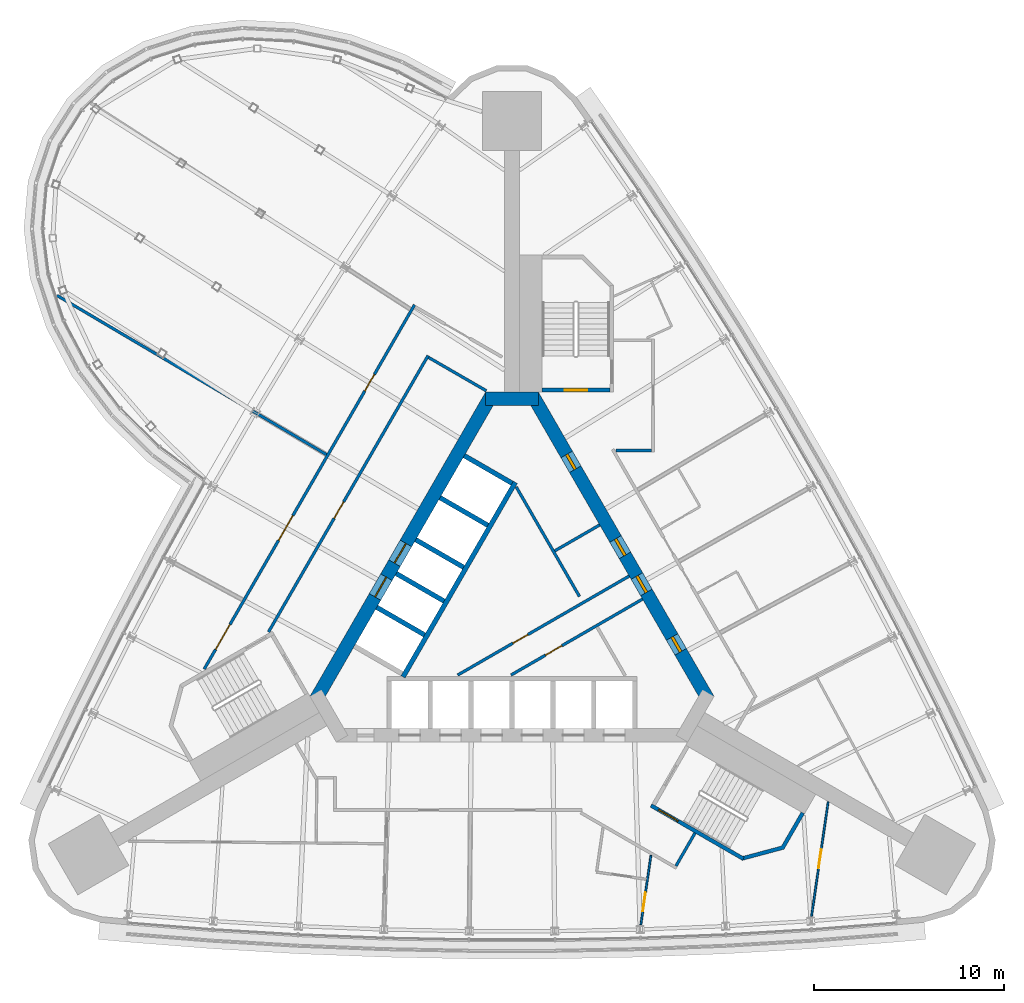
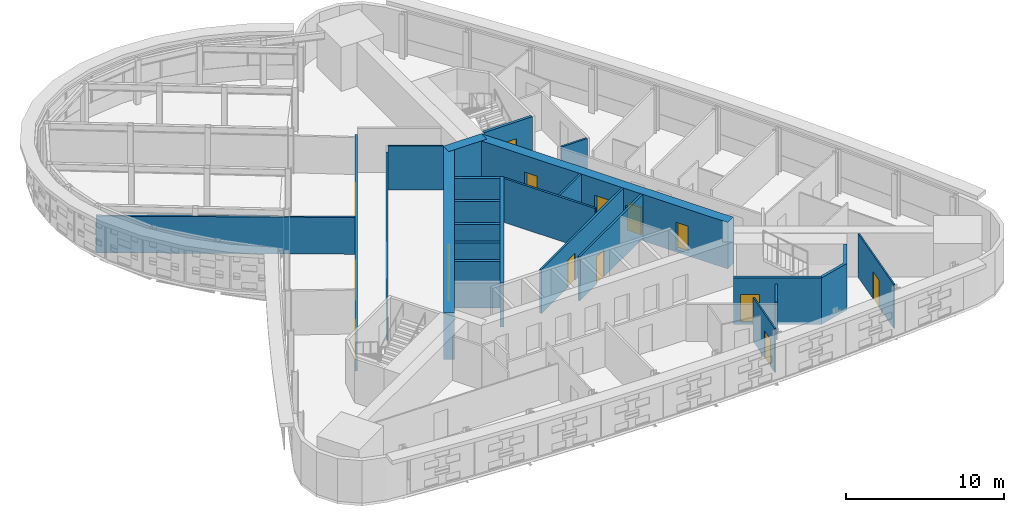
# One storey, part 12 of 17: 24 walls, 16 doors, 16 openings.
"""IFC4 building model written with IfcOpenShell, lengths in metres."""

from ifc_helpers import new_model, si_unit, direction, frame, frame_2d, origin, place, context, subcontext, project, spatial, polyline, rectangle, outline, extrude, material, layer, layer_set, type_object, element, fill, save


model = new_model("IFC4")

# Units and contexts
model_context = context("Model", 3, precision=1e-05, world=origin(), true_north=direction((0.0, 1.0)))
body_context = subcontext(model_context, "Body", "Model", "MODEL_VIEW")
ifc_project = project(units=[si_unit("LENGTHUNIT", "METRE"), si_unit("AREAUNIT", "SQUARE_METRE"), si_unit("VOLUMEUNIT", "CUBIC_METRE"), si_unit("PLANEANGLEUNIT", "RADIAN"), si_unit("MASSUNIT", "GRAM", prefix="KILO")], contexts=[model_context])

# Site, building, storey
site_placement = place(None, origin())
site = spatial("IfcSite", under=ifc_project, at=site_placement, CompositionType="ELEMENT")
building_placement = place(site_placement, origin())
building = spatial("IfcBuilding", under=site, at=building_placement, Name="Noor Cloister Tower", CompositionType="ELEMENT")
storey_placement = place(building_placement, frame((0.0, 0.0, 102.300048828125)))
storey = spatial("IfcBuildingStorey", under=building, at=storey_placement, Name="L26", CompositionType="ELEMENT", Elevation=102.300048828125)

# Wall, opening, door
ifc_material_1 = material(Name="Concrete C30/37", Category="concrete")
ifc_layer_1 = layer(ifc_material_1, 0.14990234375)
ifc_layer_set_1 = layer_set([ifc_layer_1], Name="Core partition 150 C30/37")
wall_type_1 = type_object("IfcWallType", Name="Core partition 150 C30/37", PredefinedType="PARTITIONING", material=ifc_layer_set_1)
wall_1_placement = place(storey_placement, frame((-2.8544921875, -3.4130859375, 0.0), z_axis=(0.0, 0.0, 1.0), x_axis=(0.866030102318, 0.499991861813, 0.0)))
wall_1 = element("IfcWall", 1, at=wall_1_placement, inside=storey, type_object=wall_type_1, Name="Core room partition L26 1", PredefinedType="PARTITIONING", context=body_context, shape_type="SweptSolid", body=[
    extrude(rectangle(XDim=10.406982421875, YDim=0.14990234375, at=frame_2d((5.20361328125, 0.0))), origin(), (0.0, 0.0, 1.0), 3.39990234375),
])
opening_1_placement = place(wall_1_placement, frame((3.3544921875, 0.0, 0.0)))
opening_1 = element("IfcOpeningElement", 2, at=opening_1_placement, cuts=wall_1, Name="Opening L26-906", PredefinedType="OPENING", context=body_context, shape_type="SweptSolid", body=[
    extrude(rectangle(XDim=0.89990234375, YDim=2.10009765625, at=frame_2d((0.449951171875, 1.050048828125))), frame((0.0, 0.0849609375, 0.0), z_axis=(0.0, -1.0, 0.0), x_axis=(1.0, 0.0, 0.0)), (0.0, 0.0, 1.0), 0.169921875),
])
ifc_material_2 = material(Name="Steel", Category="steel")
door_type_1 = type_object("IfcDoorType", Name="Core door 900 x 2100 FD120", OperationType="SINGLE_SWING_LEFT", PredefinedType="DOOR", material=ifc_material_2)
door_1_placement = place(opening_1_placement, origin())
door_1 = element("IfcDoor", 3, at=door_1_placement, inside=storey, type_object=door_type_1, Name="Core door 6 L26", OperationType="SINGLE_SWING_RIGHT", OverallHeight=2.10009765625, OverallWidth=0.89990234375, PredefinedType="DOOR", context=body_context, shape_type="SweptSolid", body=[
    extrude(rectangle(XDim=0.89990234375, YDim=2.10009765625, at=frame_2d((0.449951171875, 1.050048828125))), frame((0.0, 0.02490234375, 0.0), z_axis=(0.0, -1.0, 0.0), x_axis=(1.0, 0.0, 0.0)), (0.0, 0.0, 1.0), 0.050048828125),
])
fill(opening_1, door_1)

wall_2_placement = place(storey_placement, frame((-0.054443359375, -3.4130859375, 0.0), z_axis=(0.0, 0.0, 1.0), x_axis=(0.866026668906, 0.499997808738, 0.0)))
wall_2 = element("IfcWall", 4, at=wall_2_placement, inside=storey, type_object=wall_type_1, Name="Core room partition L26 3", PredefinedType="PARTITIONING", context=body_context, shape_type="SweptSolid", body=[
    extrude(rectangle(XDim=7.98193359375, YDim=0.14990234375, at=frame_2d((3.990966796875, 0.0))), origin(), (0.0, 0.0, 1.0), 3.39990234375),
])
opening_2_placement = place(wall_2_placement, frame((2.092041015625, 0.0, 0.0)))
opening_2 = element("IfcOpeningElement", 5, at=opening_2_placement, cuts=wall_2, Name="Opening L26-905", PredefinedType="OPENING", context=body_context, shape_type="SweptSolid", body=[
    extrude(rectangle(XDim=1.0, YDim=2.10009765625, at=frame_2d((0.5, 1.050048828125))), frame((0.0, 0.0849609375, 0.0), z_axis=(0.0, -1.0, 0.0), x_axis=(1.0, 0.0, 0.0)), (0.0, 0.0, 1.0), 0.169921875),
])
ifc_material_3 = material(Name="Steel", Category="steel")
door_type_2 = type_object("IfcDoorType", Name="Core door 1000 x 2100 FD60", OperationType="SINGLE_SWING_LEFT", PredefinedType="DOOR", material=ifc_material_3)
door_2_placement = place(opening_2_placement, origin())
door_2 = element("IfcDoor", 6, at=door_2_placement, inside=storey, type_object=door_type_2, Name="Core door 5 L26", OperationType="SINGLE_SWING_LEFT", OverallHeight=2.10009765625, OverallWidth=1.0, PredefinedType="DOOR", context=body_context, shape_type="SweptSolid", body=[
    extrude(rectangle(XDim=1.0, YDim=2.10009765625, at=frame_2d((0.5, 1.050048828125))), frame((0.0, 0.02490234375, 0.0), z_axis=(0.0, -1.0, 0.0), x_axis=(1.0, 0.0, 0.0)), (0.0, 0.0, 1.0), 0.050048828125),
])
fill(opening_2, door_2)

# Walls
wall_3_placement = place(storey_placement, frame((3.5458984375, 0.715087890625, 0.0), z_axis=(0.0, 0.0, 1.0), x_axis=(-0.50002895357, 0.866008686788, 0.0)))
element("IfcWall", 7, at=wall_3_placement, inside=storey, type_object=wall_type_1, Name="Core room partition L26 4", PredefinedType="PARTITIONING", context=body_context, shape_type="SweptSolid", body=[
    extrude(rectangle(XDim=6.64208984375, YDim=0.14990234375, at=frame_2d((3.321044921875, 0.0))), origin(), (0.0, 0.0, 1.0), 3.39990234375),
])
wall_4_placement = place(storey_placement, frame((2.248291015625, 3.1123046875, 0.0), z_axis=(0.0, 0.0, 1.0), x_axis=(0.866012511928, 0.500022328685, 0.0)))
element("IfcWall", 8, at=wall_4_placement, inside=storey, type_object=wall_type_1, Name="Core room partition L26 5", PredefinedType="PARTITIONING", context=body_context, shape_type="SweptSolid", body=[
    extrude(rectangle(XDim=2.72509765625, YDim=0.14990234375, at=frame_2d((1.362548828125, 0.0))), origin(), (0.0, 0.0, 1.0), 3.39990234375),
])

# Wall, openings, doors
ifc_material_4 = material(Name="Concrete C80/95", Category="concrete")
ifc_layer_2 = layer(ifc_material_4, 0.699951171875)
ifc_layer_set_2 = layer_set([ifc_layer_2], Name="Core wall 700 C80/95")
wall_type_2 = type_object("IfcWallType", Name="Core wall 700 C80/95", PredefinedType="SHEAR", material=ifc_layer_set_2)
wall_5_placement = place(storey_placement, frame((10.311279296875, -4.703125, -0.199951171875), z_axis=(0.0, 0.0, 1.0), x_axis=(-0.500001446645, 0.866024568562, 0.0)))
wall_5 = element("IfcWall", 9, at=wall_5_placement, inside=storey, type_object=wall_type_2, Name="Core wall L26 3", PredefinedType="SHEAR", context=body_context, shape_type="SweptSolid", body=[
    extrude(rectangle(XDim=18.45751953125, YDim=0.699951171875, at=frame_2d((9.228759765625, 0.0))), origin(), (0.0, 0.0, 1.0), 3.599853515625),
])
opening_3_placement = place(wall_5_placement, frame((6.5, 0.0, 0.199951171875)))
opening_3 = element("IfcOpeningElement", 10, at=opening_3_placement, cuts=wall_5, Name="Opening L26-901", PredefinedType="OPENING", context=body_context, shape_type="SweptSolid", body=[
    extrude(rectangle(XDim=1.0, YDim=2.10009765625, at=frame_2d((0.5, 1.050048828125))), frame((0.0, 0.35986328125, 0.0), z_axis=(0.0, -1.0, 0.0), x_axis=(1.0, 0.0, 0.0)), (0.0, 0.0, 1.0), 0.719970703125),
])
opening_4_placement = place(wall_5_placement, frame((2.902099609375, 0.0, 0.199951171875)))
opening_4 = element("IfcOpeningElement", 11, at=opening_4_placement, cuts=wall_5, Name="Opening L26-902", PredefinedType="OPENING", context=body_context, shape_type="SweptSolid", body=[
    extrude(rectangle(XDim=0.89990234375, YDim=2.10009765625, at=frame_2d((0.449951171875, 1.050048828125))), frame((0.0, 0.35986328125, 0.0), z_axis=(0.0, -1.0, 0.0), x_axis=(1.0, 0.0, 0.0)), (0.0, 0.0, 1.0), 0.719970703125),
])
opening_5_placement = place(wall_5_placement, frame((8.75, 0.0, 0.199951171875)))
opening_5 = element("IfcOpeningElement", 12, at=opening_5_placement, cuts=wall_5, Name="Opening L26-903", PredefinedType="OPENING", context=body_context, shape_type="SweptSolid", body=[
    extrude(rectangle(XDim=1.0, YDim=2.10009765625, at=frame_2d((0.5, 1.050048828125))), frame((0.0, 0.35986328125, 0.0), z_axis=(0.0, -1.0, 0.0), x_axis=(1.0, 0.0, 0.0)), (0.0, 0.0, 1.0), 0.719970703125),
])
opening_6_placement = place(wall_5_placement, frame((13.976806640625, 0.0, 0.199951171875)))
opening_6 = element("IfcOpeningElement", 13, at=opening_6_placement, cuts=wall_5, Name="Opening L26-904", PredefinedType="OPENING", context=body_context, shape_type="SweptSolid", body=[
    extrude(rectangle(XDim=0.89990234375, YDim=2.10009765625, at=frame_2d((0.449951171875, 1.050048828125))), frame((0.0, 0.35986328125, 0.0), z_axis=(0.0, -1.0, 0.0), x_axis=(1.0, 0.0, 0.0)), (0.0, 0.0, 1.0), 0.719970703125),
])
ifc_material_5 = material(Name="Steel", Category="steel")
door_type_3 = type_object("IfcDoorType", Name="Core door 1000 x 2100 FD120", OperationType="SINGLE_SWING_LEFT", PredefinedType="DOOR", material=ifc_material_5)
door_3_placement = place(opening_3_placement, origin())
door_3 = element("IfcDoor", 14, at=door_3_placement, inside=storey, type_object=door_type_3, Name="Core door 1 L26", OperationType="SINGLE_SWING_LEFT", OverallHeight=2.10009765625, OverallWidth=1.0, PredefinedType="DOOR", context=body_context, shape_type="SweptSolid", body=[
    extrude(rectangle(XDim=1.0, YDim=2.10009765625, at=frame_2d((0.5, 1.050048828125))), frame((0.0, 0.074951171875, 0.0), z_axis=(0.0, -1.0, 0.0), x_axis=(1.0, 0.0, 0.0)), (0.0, 0.0, 1.0), 0.14990234375),
])
fill(opening_3, door_3)
door_4_placement = place(opening_5_placement, origin())
door_4 = element("IfcDoor", 15, at=door_4_placement, inside=storey, type_object=door_type_2, Name="Core door 3 L26", OperationType="SINGLE_SWING_LEFT", OverallHeight=2.10009765625, OverallWidth=1.0, PredefinedType="DOOR", context=body_context, shape_type="SweptSolid", body=[
    extrude(rectangle(XDim=1.0, YDim=2.10009765625, at=frame_2d((0.5, 1.050048828125))), frame((0.0, 0.074951171875, 0.0), z_axis=(0.0, -1.0, 0.0), x_axis=(1.0, 0.0, 0.0)), (0.0, 0.0, 1.0), 0.14990234375),
])
fill(opening_5, door_4)
ifc_material_6 = material(Name="Steel", Category="steel")
door_type_4 = type_object("IfcDoorType", Name="Core door 900 x 2100 FD60", OperationType="SINGLE_SWING_LEFT", PredefinedType="DOOR", material=ifc_material_6)
door_5_placement = place(opening_4_placement, origin())
door_5 = element("IfcDoor", 16, at=door_5_placement, inside=storey, type_object=door_type_4, Name="Core door 2 L26", OperationType="SINGLE_SWING_RIGHT", OverallHeight=2.10009765625, OverallWidth=0.89990234375, PredefinedType="DOOR", context=body_context, shape_type="SweptSolid", body=[
    extrude(rectangle(XDim=0.89990234375, YDim=2.10009765625, at=frame_2d((0.449951171875, 1.050048828125))), frame((0.0, 0.074951171875, 0.0), z_axis=(0.0, -1.0, 0.0), x_axis=(1.0, 0.0, 0.0)), (0.0, 0.0, 1.0), 0.14990234375),
])
fill(opening_4, door_5)
door_6_placement = place(opening_6_placement, origin())
door_6 = element("IfcDoor", 17, at=door_6_placement, inside=storey, type_object=door_type_4, Name="Core door 4 L26", OperationType="SINGLE_SWING_RIGHT", OverallHeight=2.10009765625, OverallWidth=0.89990234375, PredefinedType="DOOR", context=body_context, shape_type="SweptSolid", body=[
    extrude(rectangle(XDim=0.89990234375, YDim=2.10009765625, at=frame_2d((0.449951171875, 1.050048828125))), frame((0.0, 0.074951171875, 0.0), z_axis=(0.0, -1.0, 0.0), x_axis=(1.0, 0.0, 0.0)), (0.0, 0.0, 1.0), 0.14990234375),
])
fill(opening_6, door_6)

# Wall
wall_6_placement = place(storey_placement, frame((1.3857421875, 11.1064453125, -0.199951171875), z_axis=(0.0, 0.0, 1.0), x_axis=(-1.0, 0.0, 0.0)))
element("IfcWall", 18, at=wall_6_placement, inside=storey, type_object=wall_type_2, Name="Core wall L26 4", PredefinedType="SHEAR", context=body_context, shape_type="SweptSolid", body=[
    extrude(rectangle(XDim=2.771484375, YDim=0.699951171875, at=frame_2d((1.3857421875, 0.0))), origin(), (0.0, 0.0, 1.0), 3.599853515625),
])

# Wall, openings, doors
wall_7_placement = place(storey_placement, frame((-1.08251953125, 11.281494140625, -0.199951171875), z_axis=(0.0, 0.0, 1.0), x_axis=(-0.500001446645, -0.866024568562, 0.0)))
wall_7 = element("IfcWall", 19, at=wall_7_placement, inside=storey, type_object=wall_type_2, Name="Core wall L26 5", PredefinedType="SHEAR", context=body_context, shape_type="SweptSolid", body=[
    extrude(rectangle(XDim=18.45751953125, YDim=0.699951171875, at=frame_2d((9.228759765625, 0.0))), origin(), (0.0, 0.0, 1.0), 3.599853515625),
])
opening_7_placement = place(wall_7_placement, frame((8.978759765625, 0.0, 0.199951171875)))
opening_7 = element("IfcOpeningElement", 20, at=opening_7_placement, cuts=wall_7, Name="Opening L26-FF1", PredefinedType="OPENING", context=body_context, shape_type="SweptSolid", body=[
    extrude(rectangle(XDim=1.199951171875, YDim=2.10009765625, at=frame_2d((0.60009765625, 1.050048828125))), frame((0.0, 0.35986328125, 0.0), z_axis=(0.0, -1.0, 0.0), x_axis=(1.0, 0.0, 0.0)), (0.0, 0.0, 1.0), 0.719970703125),
])
opening_8_placement = place(wall_7_placement, frame((11.02880859375, 0.0, 0.199951171875)))
opening_8 = element("IfcOpeningElement", 21, at=opening_8_placement, cuts=wall_7, Name="Opening L26-FF2", PredefinedType="OPENING", context=body_context, shape_type="SweptSolid", body=[
    extrude(rectangle(XDim=1.199951171875, YDim=2.10009765625, at=frame_2d((0.60009765625, 1.050048828125))), frame((0.0, 0.35986328125, 0.0), z_axis=(0.0, -1.0, 0.0), x_axis=(1.0, 0.0, 0.0)), (0.0, 0.0, 1.0), 0.719970703125),
])
ifc_material_7 = material(Name="Stainless steel", Category="steel")
door_type_5 = type_object("IfcDoorType", Name="Lift landing door 1200 x 2100", OperationType="DOUBLE_DOOR_SLIDING", PredefinedType="DOOR", material=ifc_material_7)
door_7_placement = place(opening_7_placement, origin())
door_7 = element("IfcDoor", 22, at=door_7_placement, inside=storey, type_object=door_type_5, Name="Landing door FF1 L26", OperationType="DOUBLE_DOOR_SLIDING", OverallHeight=2.10009765625, OverallWidth=1.199951171875, PredefinedType="DOOR", context=body_context, shape_type="SweptSolid", body=[
    extrude(rectangle(XDim=1.199951171875, YDim=2.10009765625, at=frame_2d((0.60009765625, 1.050048828125))), frame((0.0, 0.02490234375, 0.0), z_axis=(0.0, -1.0, 0.0), x_axis=(1.0, 0.0, 0.0)), (0.0, 0.0, 1.0), 0.050048828125),
])
fill(opening_7, door_7)
door_8_placement = place(opening_8_placement, origin())
door_8 = element("IfcDoor", 23, at=door_8_placement, inside=storey, type_object=door_type_5, Name="Landing door FF2 L26", OperationType="DOUBLE_DOOR_SLIDING", OverallHeight=2.10009765625, OverallWidth=1.199951171875, PredefinedType="DOOR", context=body_context, shape_type="SweptSolid", body=[
    extrude(rectangle(XDim=1.199951171875, YDim=2.10009765625, at=frame_2d((0.60009765625, 1.050048828125))), frame((0.0, 0.02490234375, 0.0), z_axis=(0.0, -1.0, 0.0), x_axis=(1.0, 0.0, 0.0)), (0.0, 0.0, 1.0), 0.050048828125),
])
fill(opening_8, door_8)

# Wall, opening, door
ifc_material_8 = material(Name="Fire-rated gypsum board partition on steel studs, 150 mm", Category="steel")
ifc_layer_3 = layer(ifc_material_8, 0.14990234375)
ifc_layer_set_3 = layer_set([ifc_layer_3], Name="Fire lobby wall 150")
wall_type_3 = type_object("IfcWallType", Name="Fire lobby wall 150", PredefinedType="PARTITIONING", material=ifc_layer_set_3)
wall_8_placement = place(storey_placement, frame((-4.40673828125, 13.373779296875, 0.0), z_axis=(0.0, 0.0, 1.0), x_axis=(-0.499997181693, -0.866027030928, 0.0)))
wall_8 = element("IfcWall", 24, at=wall_8_placement, inside=storey, type_object=wall_type_3, Name="Fire lobby wall 150 L26 002", PredefinedType="PARTITIONING", context=body_context, shape_type="SweptSolid", body=[
    extrude(rectangle(XDim=16.76953125, YDim=0.14990234375, at=frame_2d((8.384765625, 0.0))), origin(), (0.0, 0.0, 1.0), 2.846923828125),
])
opening_9_placement = place(wall_8_placement, frame((8.878662109375, 0.0, 0.0)))
opening_9 = element("IfcOpeningElement", 25, at=opening_9_placement, cuts=wall_8, Name="Opening L26-004", PredefinedType="OPENING", context=body_context, shape_type="SweptSolid", body=[
    extrude(rectangle(XDim=1.0, YDim=2.10009765625, at=frame_2d((0.5, 1.050048828125))), frame((0.0, 0.0849609375, 0.0), z_axis=(0.0, -1.0, 0.0), x_axis=(1.0, 0.0, 0.0)), (0.0, 0.0, 1.0), 0.169921875),
])
ifc_material_9 = material(Name="Timber door leaf with steel frame", Category="steel")
door_type_6 = type_object("IfcDoorType", Name="Fire lobby door 1000", OperationType="NOTDEFINED", PredefinedType="DOOR", material=ifc_material_9)
door_9_placement = place(opening_9_placement, origin())
door_9 = element("IfcDoor", 26, at=door_9_placement, inside=storey, type_object=door_type_6, Name="Fire lobby door 1000 L26-004", OperationType="SINGLE_SWING_RIGHT", OverallHeight=2.10009765625, OverallWidth=1.0, PredefinedType="DOOR", context=body_context, shape_type="SweptSolid", body=[
    extrude(rectangle(XDim=1.0, YDim=2.10009765625, at=frame_2d((0.5, 1.050048828125))), frame((0.0, 0.02490234375, 0.0), z_axis=(0.0, -1.0, 0.0), x_axis=(1.0, 0.0, 0.0)), (0.0, 0.0, 1.0), 0.050048828125),
])
fill(opening_9, door_9)

# Wall
wall_9_placement = place(storey_placement, frame((-4.379150390625, 13.271484375, 0.0), z_axis=(0.0, 0.0, 1.0), x_axis=(0.866019471182, -0.500010275428, 0.0)))
element("IfcWall", 27, at=wall_9_placement, inside=storey, type_object=wall_type_3, Name="Fire lobby wall 150 L26 008", PredefinedType="PARTITIONING", context=body_context, shape_type="SweptSolid", body=[
    extrude(rectangle(XDim=3.5, YDim=0.14990234375, at=frame_2d((1.75, 0.0))), origin(), (0.0, 0.0, 1.0), 3.39990234375),
])

# Wall, openings, doors
ifc_material_10 = material(Name="Gypsum board partition on steel studs, 150 mm", Category="steel")
ifc_layer_4 = layer(ifc_material_10, 0.14990234375)
ifc_layer_set_4 = layer_set([ifc_layer_4], Name="Flat wall 150")
wall_type_4 = type_object("IfcWallType", Name="Flat wall 150", PredefinedType="PARTITIONING", material=ifc_layer_set_4)
wall_10_placement = place(storey_placement, frame((-16.1689453125, -3.09912109375, 0.0), z_axis=(0.0, 0.0, 1.0), x_axis=(0.499999805269, 0.866025516212, 0.0)))
wall_10 = element("IfcWall", 28, at=wall_10_placement, inside=storey, type_object=wall_type_4, Name="Flat wall 150 L26 001", PredefinedType="PARTITIONING", context=body_context, shape_type="SweptSolid", body=[
    extrude(rectangle(XDim=22.09716796875, YDim=0.14990234375, at=frame_2d((11.048583984375, 0.0))), origin(), (0.0, 0.0, 1.0), 2.846923828125),
])
opening_10_placement = place(wall_10_placement, frame((16.878173828125, 0.0, 0.0)))
opening_10 = element("IfcOpeningElement", 29, at=opening_10_placement, cuts=wall_10, Name="Opening L26-001", PredefinedType="OPENING", context=body_context, shape_type="SweptSolid", body=[
    extrude(rectangle(XDim=1.0, YDim=2.10009765625, at=frame_2d((0.5, 1.050048828125))), frame((0.0, 0.0849609375, 0.0), z_axis=(0.0, -1.0, 0.0), x_axis=(1.0, 0.0, 0.0)), (0.0, 0.0, 1.0), 0.169921875),
])
opening_11_placement = place(wall_10_placement, frame((7.815673828125, 0.0, 0.0)))
opening_11 = element("IfcOpeningElement", 30, at=opening_11_placement, cuts=wall_10, Name="Opening L26-002", PredefinedType="OPENING", context=body_context, shape_type="SweptSolid", body=[
    extrude(rectangle(XDim=1.5, YDim=2.10009765625, at=frame_2d((0.75, 1.050048828125))), frame((0.0, 0.0849609375, 0.0), z_axis=(0.0, -1.0, 0.0), x_axis=(1.0, 0.0, 0.0)), (0.0, 0.0, 1.0), 0.169921875),
])
opening_12_placement = place(wall_10_placement, frame((1.199951171875, 0.0, 0.0)))
opening_12 = element("IfcOpeningElement", 31, at=opening_12_placement, cuts=wall_10, Name="Opening L26-003", PredefinedType="OPENING", context=body_context, shape_type="SweptSolid", body=[
    extrude(rectangle(XDim=1.5, YDim=2.10009765625, at=frame_2d((0.75, 1.050048828125))), frame((0.0, 0.0849609375, 0.0), z_axis=(0.0, -1.0, 0.0), x_axis=(1.0, 0.0, 0.0)), (0.0, 0.0, 1.0), 0.169921875),
])
ifc_material_11 = material(Name="Timber door leaf with steel frame", Category="steel")
door_type_7 = type_object("IfcDoorType", Name="Double door 1500 FD60", OperationType="NOTDEFINED", PredefinedType="DOOR", material=ifc_material_11)
door_10_placement = place(opening_11_placement, origin())
door_10 = element("IfcDoor", 32, at=door_10_placement, inside=storey, type_object=door_type_7, Name="Double door 1500 L26-002", OperationType="DOUBLE_DOOR_SINGLE_SWING", OverallHeight=2.10009765625, OverallWidth=1.5, PredefinedType="DOOR", context=body_context, shape_type="SweptSolid", body=[
    extrude(rectangle(XDim=1.5, YDim=2.10009765625, at=frame_2d((0.75, 1.050048828125))), frame((0.0, 0.02490234375, 0.0), z_axis=(0.0, -1.0, 0.0), x_axis=(1.0, 0.0, 0.0)), (0.0, 0.0, 1.0), 0.050048828125),
])
fill(opening_11, door_10)
door_11_placement = place(opening_12_placement, origin())
door_11 = element("IfcDoor", 33, at=door_11_placement, inside=storey, type_object=door_type_7, Name="Double door 1500 L26-003", OperationType="DOUBLE_DOOR_SINGLE_SWING", OverallHeight=2.10009765625, OverallWidth=1.5, PredefinedType="DOOR", context=body_context, shape_type="SweptSolid", body=[
    extrude(rectangle(XDim=1.5, YDim=2.10009765625, at=frame_2d((0.75, 1.050048828125))), frame((0.0, 0.02490234375, 0.0), z_axis=(0.0, -1.0, 0.0), x_axis=(1.0, 0.0, 0.0)), (0.0, 0.0, 1.0), 0.050048828125),
])
fill(opening_12, door_11)
ifc_material_12 = material(Name="Timber door leaf with steel frame", Category="steel")
door_type_8 = type_object("IfcDoorType", Name="Interior door 1000 FD60", OperationType="NOTDEFINED", PredefinedType="DOOR", material=ifc_material_12)
door_12_placement = place(opening_10_placement, origin())
door_12 = element("IfcDoor", 34, at=door_12_placement, inside=storey, type_object=door_type_8, Name="Interior door 1000 L26-001", OperationType="SINGLE_SWING_RIGHT", OverallHeight=2.10009765625, OverallWidth=1.0, PredefinedType="DOOR", context=body_context, shape_type="SweptSolid", body=[
    extrude(rectangle(XDim=1.0, YDim=2.10009765625, at=frame_2d((0.5, 1.050048828125))), frame((0.0, 0.02490234375, 0.0), z_axis=(0.0, -1.0, 0.0), x_axis=(1.0, 0.0, 0.0)), (0.0, 0.0, 1.0), 0.050048828125),
])
fill(opening_10, door_12)

# Walls
wall_11_placement = place(storey_placement, frame((8.613525390625, -13.443603515625, 0.0), z_axis=(0.0, 0.0, 1.0), x_axis=(0.499972520799, 0.866041268327, 0.0)))
element("IfcWall", 35, at=wall_11_placement, inside=storey, type_object=wall_type_4, Name="Flat wall 150 L26 010", PredefinedType="PARTITIONING", context=body_context, shape_type="SweptSolid", body=[
    extrude(rectangle(XDim=2.0, YDim=0.14990234375, at=frame_2d((1.0, 0.0))), origin(), (0.0, 0.0, 1.0), 2.9228515625),
])
wall_12_placement = place(storey_placement, frame((5.4560546875, 8.38134765625, 0.0), z_axis=(0.0, 0.0, 1.0), x_axis=(1.0, 0.0, 0.0)))
element("IfcWall", 36, at=wall_12_placement, inside=storey, type_object=wall_type_4, Name="Flat wall 150 L26 013", PredefinedType="PARTITIONING", context=body_context, shape_type="SweptSolid", body=[
    extrude(rectangle(XDim=1.879638671875, YDim=0.14990234375, at=frame_2d((0.93994140625, 0.0))), origin(), (0.0, 0.0, 1.0), 2.846923828125),
])
wall_13_placement = place(storey_placement, frame((-23.908935546875, 16.533203125, 0.0), z_axis=(0.0, 0.0, 1.0), x_axis=(0.86106275482, -0.508498704288, 0.0)))
element("IfcWall", 37, at=wall_13_placement, inside=storey, type_object=wall_type_4, Name="Flat wall 150 L26 017", PredefinedType="PARTITIONING", context=body_context, shape_type="SweptSolid", body=[
    extrude(rectangle(XDim=16.444091796875, YDim=0.14990234375, at=frame_2d((8.22216796875, 0.0))), origin(), (0.0, 0.0, 1.0), 2.846923828125),
])

# Wall, opening, door
ifc_material_13 = material(Name="Gypsum board partition on steel studs, 100 mm", Category="steel")
ifc_layer_5 = layer(ifc_material_13, 0.10009765625)
ifc_layer_set_5 = layer_set([ifc_layer_5], Name="Partition 100")
wall_type_5 = type_object("IfcWallType", Name="Partition 100", PredefinedType="PARTITIONING", material=ifc_layer_set_5)
wall_14_placement = place(storey_placement, frame((16.610107421875, -10.072998046875, 0.0), z_axis=(0.0, 0.0, 1.0), x_axis=(-0.143841065588, -0.989600802269, 0.0)))
wall_14 = element("IfcWall", 38, at=wall_14_placement, inside=storey, type_object=wall_type_5, Name="Partition 100 L26 026", PredefinedType="PARTITIONING", context=body_context, shape_type="SweptSolid", body=[
    extrude(rectangle(XDim=6.072998046875, YDim=0.10009765625, at=frame_2d((3.03662109375, 0.0))), origin(), (0.0, 0.0, 1.0), 3.39990234375),
])
opening_13_placement = place(wall_14_placement, frame((2.5263671875, 0.0, 0.0)))
opening_13 = element("IfcOpeningElement", 39, at=opening_13_placement, cuts=wall_14, Name="Opening L26-016", PredefinedType="OPENING", context=body_context, shape_type="SweptSolid", body=[
    extrude(rectangle(XDim=1.0, YDim=2.10009765625, at=frame_2d((0.5, 1.050048828125))), frame((0.0, 0.06005859375, 0.0), z_axis=(0.0, -1.0, 0.0), x_axis=(1.0, 0.0, 0.0)), (0.0, 0.0, 1.0), 0.1201171875),
])
ifc_material_14 = material(Name="Timber door leaf with steel frame", Category="steel")
door_type_9 = type_object("IfcDoorType", Name="Interior door 1000", OperationType="NOTDEFINED", PredefinedType="DOOR", material=ifc_material_14)
door_13_placement = place(opening_13_placement, origin())
door_13 = element("IfcDoor", 40, at=door_13_placement, inside=storey, type_object=door_type_9, Name="Interior door 1000 L26-016", OperationType="SINGLE_SWING_LEFT", OverallHeight=2.10009765625, OverallWidth=1.0, PredefinedType="DOOR", context=body_context, shape_type="SweptSolid", body=[
    extrude(rectangle(XDim=1.0, YDim=2.10009765625, at=frame_2d((0.5, 1.050048828125))), frame((0.0, 0.02490234375, 0.0), z_axis=(0.0, -1.0, 0.0), x_axis=(1.0, 0.0, 0.0)), (0.0, 0.0, 1.0), 0.050048828125),
])
fill(opening_13, door_13)

wall_15_placement = place(storey_placement, frame((7.299560546875, -12.87939453125, 0.0), z_axis=(0.0, 0.0, 1.0), x_axis=(-0.14388794615, -0.989593986922, 0.0)))
wall_15 = element("IfcWall", 41, at=wall_15_placement, inside=storey, type_object=wall_type_5, Name="Partition 100 L26 028", PredefinedType="PARTITIONING", context=body_context, shape_type="SweptSolid", body=[
    extrude(rectangle(XDim=3.685302734375, YDim=0.10009765625, at=frame_2d((1.8427734375, 0.0))), origin(), (0.0, 0.0, 1.0), 3.39990234375),
])
opening_14_placement = place(wall_15_placement, frame((1.978759765625, 0.0, 0.0)))
opening_14 = element("IfcOpeningElement", 42, at=opening_14_placement, cuts=wall_15, Name="Opening L26-019", PredefinedType="OPENING", context=body_context, shape_type="SweptSolid", body=[
    extrude(rectangle(XDim=1.0, YDim=2.10009765625, at=frame_2d((0.5, 1.050048828125))), frame((0.0, 0.06005859375, 0.0), z_axis=(0.0, -1.0, 0.0), x_axis=(1.0, 0.0, 0.0)), (0.0, 0.0, 1.0), 0.1201171875),
])
door_14_placement = place(opening_14_placement, origin())
door_14 = element("IfcDoor", 43, at=door_14_placement, inside=storey, type_object=door_type_9, Name="Interior door 1000 L26-019", OperationType="SINGLE_SWING_RIGHT", OverallHeight=2.10009765625, OverallWidth=1.0, PredefinedType="DOOR", context=body_context, shape_type="SweptSolid", body=[
    extrude(rectangle(XDim=1.0, YDim=2.10009765625, at=frame_2d((0.5, 1.050048828125))), frame((0.0, 0.02490234375, 0.0), z_axis=(0.0, -1.0, 0.0), x_axis=(1.0, 0.0, 0.0)), (0.0, 0.0, 1.0), 0.050048828125),
])
fill(opening_14, door_14)

# Walls
ifc_material_15 = material(Name="Concrete C80/95", Category="concrete")
ifc_layer_6 = layer(ifc_material_15, 0.25)
ifc_layer_set_6 = layer_set([ifc_layer_6], Name="Shaft wall 250 C80/95")
wall_type_6 = type_object("IfcWallType", Name="Shaft wall 250 C80/95", PredefinedType="PARTITIONING", material=ifc_layer_set_6)
wall_16_placement = place(storey_placement, frame((-2.50634765625, 8.115478515625, -0.199951171875), z_axis=(0.0, 0.0, 1.0), x_axis=(0.865996321171, -0.50005036918, 0.0)))
element("IfcWall", 44, at=wall_16_placement, inside=storey, type_object=wall_type_6, Name="Lift shaft wall L26 NW 1", PredefinedType="PARTITIONING", context=body_context, shape_type="SweptSolid", body=[
    extrude(rectangle(XDim=2.900146484375, YDim=0.25, at=frame_2d((1.4501953125, 0.0))), origin(), (0.0, 0.0, 1.0), 3.599853515625),
])
for number, where, z_axis, x_axis, name in (
    (45, (-3.78125, 5.906982421875, -0.199951171875), (0.0, 0.0, 1.0), (0.866032775405, -0.499987231761, 0.0), "Lift shaft wall L26 NW 2"),
    (46, (-5.056396484375, 3.69873046875, -0.199951171875), (0.0, 0.0, 1.0), (0.866032775405, -0.499987231761, 0.0), "Lift shaft wall L26 NW 3"),
    (47, (-6.081298828125, 1.92333984375, -0.199951171875), (0.0, 0.0, 1.0), (0.866032775405, -0.499987231761, 0.0), "Lift shaft wall L26 NW 4"),
    (48, (-7.106201171875, 0.14794921875, -0.199951171875), (0.0, 0.0, 1.0), (0.866032775405, -0.499987231761, 0.0), "Lift shaft wall L26 NW 5"),
):
    element("IfcWall", number, at=place(storey_placement, frame(where, z_axis=z_axis, x_axis=x_axis)), inside=storey, type_object=wall_type_6, Name=name, PredefinedType="PARTITIONING", context=body_context, shape_type="SweptSolid", body=[
        extrude(rectangle(XDim=2.89990234375, YDim=0.25, at=frame_2d((1.449951171875, 0.0))), origin(), (0.0, 0.0, 1.0), 3.599853515625),
    ])
wall_17_placement = place(storey_placement, frame((0.176025390625, 6.711181640625, 0.0), z_axis=(0.0, 0.0, 1.0), x_axis=(-0.500004227369, -0.866022963098, 0.0)))
element("IfcWall", 49, at=wall_17_placement, inside=storey, type_object=wall_type_6, Name="Lift shaft back wall L26 NW", PredefinedType="PARTITIONING", context=body_context, shape_type="SweptSolid", body=[
    extrude(rectangle(XDim=11.80029296875, YDim=0.25, at=frame_2d((5.900146484375, 0.0))), origin(), (0.0, 0.0, 1.0), 3.39990234375),
])

# Wall, opening, door
ifc_material_16 = material(Name="Concrete C80/95", Category="concrete")
ifc_layer_7 = layer(ifc_material_16, 0.199951171875)
ifc_layer_set_7 = layer_set([ifc_layer_7], Name="Stair enclosure wall 200 C80/95")
wall_type_7 = type_object("IfcWallType", Name="Stair enclosure wall 200 C80/95", PredefinedType="SHEAR", material=ifc_layer_set_7)
wall_18_placement = place(storey_placement, frame((5.135498046875, 11.556396484375, -0.199951171875), z_axis=(0.0, 0.0, 1.0), x_axis=(-1.0, 0.0, 0.0)))
wall_18 = element("IfcWall", 50, at=wall_18_placement, inside=storey, type_object=wall_type_7, Name="Stair enclosure wall ST1 L26 near end", PredefinedType="SHEAR", context=body_context, shape_type="SweptSolid", body=[
    extrude(rectangle(XDim=3.5498046875, YDim=0.199951171875, at=frame_2d((1.77490234375, 0.0))), origin(), (0.0, 0.0, 1.0), 3.599853515625),
])
opening_15_placement = place(wall_18_placement, frame((1.175048828125, 0.0, 0.199951171875)))
opening_15 = element("IfcOpeningElement", 51, at=opening_15_placement, cuts=wall_18, Name="Opening L26-ST1L", PredefinedType="OPENING", context=body_context, shape_type="SweptSolid", body=[
    extrude(rectangle(XDim=1.199951171875, YDim=2.10009765625, at=frame_2d((0.60009765625, 1.050048828125))), frame((0.0, 0.10986328125, 0.0), z_axis=(0.0, -1.0, 0.0), x_axis=(1.0, 0.0, 0.0)), (0.0, 0.0, 1.0), 0.219970703125),
])
ifc_material_17 = material(Name="Steel", Category="steel")
door_type_10 = type_object("IfcDoorType", Name="Stair door 1200 x 2100 FD120", OperationType="SINGLE_SWING_LEFT", PredefinedType="DOOR", material=ifc_material_17)
door_15_placement = place(opening_15_placement, origin())
door_15 = element("IfcDoor", 52, at=door_15_placement, inside=storey, type_object=door_type_10, Name="Stair door ST1 L26", OperationType="SINGLE_SWING_RIGHT", OverallHeight=2.10009765625, OverallWidth=1.199951171875, PredefinedType="DOOR", context=body_context, shape_type="SweptSolid", body=[
    extrude(rectangle(XDim=1.199951171875, YDim=2.10009765625, at=frame_2d((0.60009765625, 1.050048828125))), frame((0.0, 0.02490234375, 0.0), z_axis=(0.0, -1.0, 0.0), x_axis=(1.0, 0.0, 0.0)), (0.0, 0.0, 1.0), 0.050048828125),
])
fill(opening_15, door_15)

wall_19_placement = place(storey_placement, frame((7.3037109375, -10.262451171875, -0.199951171875), z_axis=(0.0, 0.0, 1.0), x_axis=(0.866026594901, -0.49999793692, 0.0)))
wall_19 = element("IfcWall", 53, at=wall_19_placement, inside=storey, type_object=wall_type_7, Name="Stair enclosure wall ST3 L26 outer side", PredefinedType="SHEAR", context=body_context, shape_type="SweptSolid", body=[
    extrude(rectangle(XDim=5.60009765625, YDim=0.199951171875, at=frame_2d((2.800048828125, 0.0))), origin(), (0.0, 0.0, 1.0), 3.599853515625),
])
opening_16_placement = place(wall_19_placement, frame((0.449951171875, 0.0, 0.199951171875)))
opening_16 = element("IfcOpeningElement", 54, at=opening_16_placement, cuts=wall_19, Name="Opening L26-ST3C", PredefinedType="OPENING", context=body_context, shape_type="SweptSolid", body=[
    extrude(rectangle(XDim=1.199951171875, YDim=2.10009765625, at=frame_2d((0.60009765625, 1.050048828125))), frame((0.0, 0.10986328125, 0.0), z_axis=(0.0, -1.0, 0.0), x_axis=(1.0, 0.0, 0.0)), (0.0, 0.0, 1.0), 0.219970703125),
])
door_16_placement = place(opening_16_placement, origin())
door_16 = element("IfcDoor", 55, at=door_16_placement, inside=storey, type_object=door_type_10, Name="Stair door ST3 L26", OperationType="SINGLE_SWING_LEFT", OverallHeight=2.10009765625, OverallWidth=1.199951171875, PredefinedType="DOOR", context=body_context, shape_type="SweptSolid", body=[
    extrude(rectangle(XDim=1.199951171875, YDim=2.10009765625, at=frame_2d((0.60009765625, 1.050048828125))), frame((0.0, 0.02490234375, 0.0), z_axis=(0.0, -1.0, 0.0), x_axis=(1.0, 0.0, 0.0)), (0.0, 0.0, 1.0), 0.050048828125),
])
fill(opening_16, door_16)

# Wall
ifc_material_18 = material(Name="Concrete C80/95", Category="concrete")
wall_type_8 = type_object("IfcWallType", Name="Stair far end wall C80/95", PredefinedType="SHEAR", material=ifc_material_18)
wall_20_placement = place(storey_placement, frame((0.0, 0.0, -0.199951171875)))
element("IfcWall", 56, at=wall_20_placement, inside=storey, type_object=wall_type_8, Name="Stair enclosure wall ST3 L26 far end", PredefinedType="SHEAR", context=body_context, shape_type="SweptSolid", body=[
    extrude(outline(polyline([(12.103515625, -13.14892578125), (14.2890625, -12.5634765625), (15.364013671875, -10.701416015625), (15.19091796875, -10.601318359375), (14.1572265625, -12.3916015625), (12.131591796875, -12.934326171875), (12.20361328125, -12.975830078125), (12.20361328125, -12.975830078125), (12.20361328125, -12.975830078125), (12.20361328125, -12.975830078125), (12.20361328125, -12.975830078125), (12.20361328125, -12.975830078125), (12.20361328125, -12.975830078125), (12.20361328125, -12.975830078125), (12.20361328125, -12.975830078125), (12.20361328125, -12.975830078125), (12.20361328125, -12.975830078125), (12.20361328125, -12.975830078125), (12.20361328125, -12.975830078125), (12.20361328125, -12.975830078125), (12.20361328125, -12.975830078125), (12.20361328125, -12.975830078125), (12.20361328125, -12.975830078125), (12.103515625, -13.14892578125)])), origin(), (0.0, 0.0, 1.0), 3.599853515625),
])

save(model, "model.ifc")
